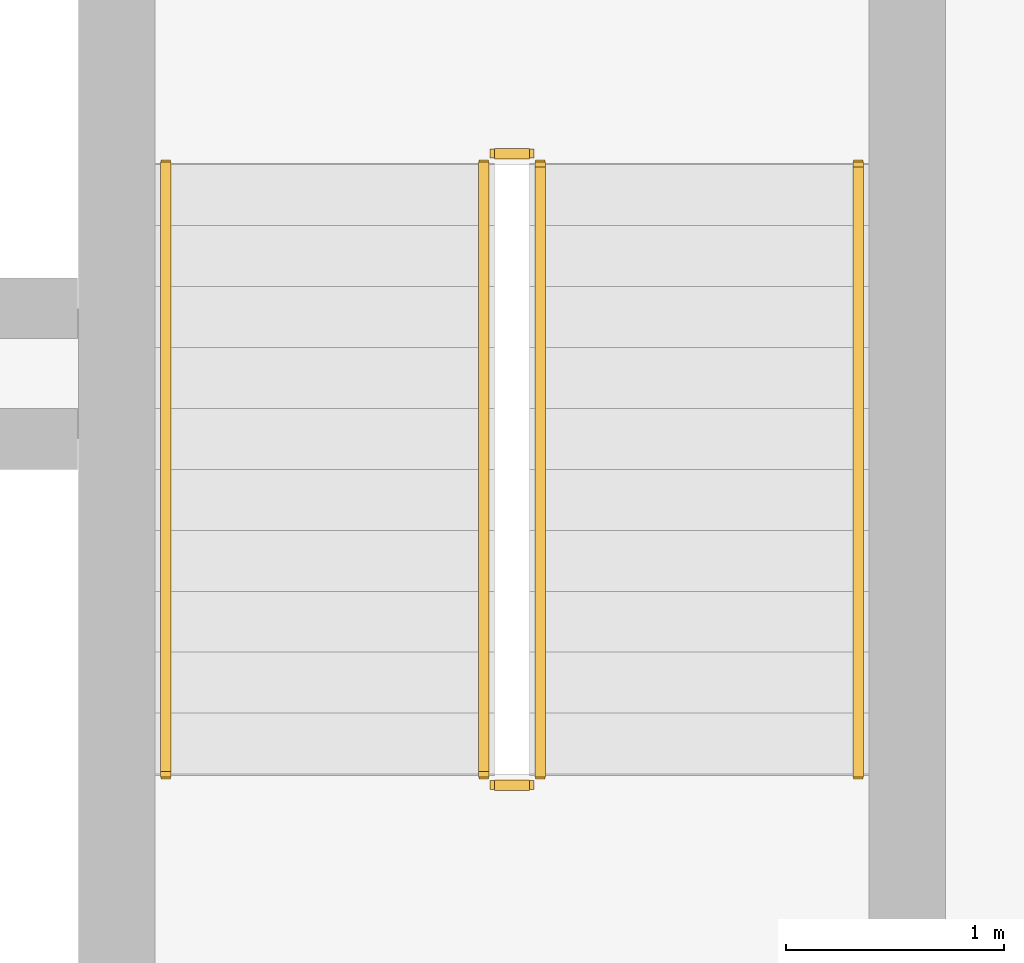
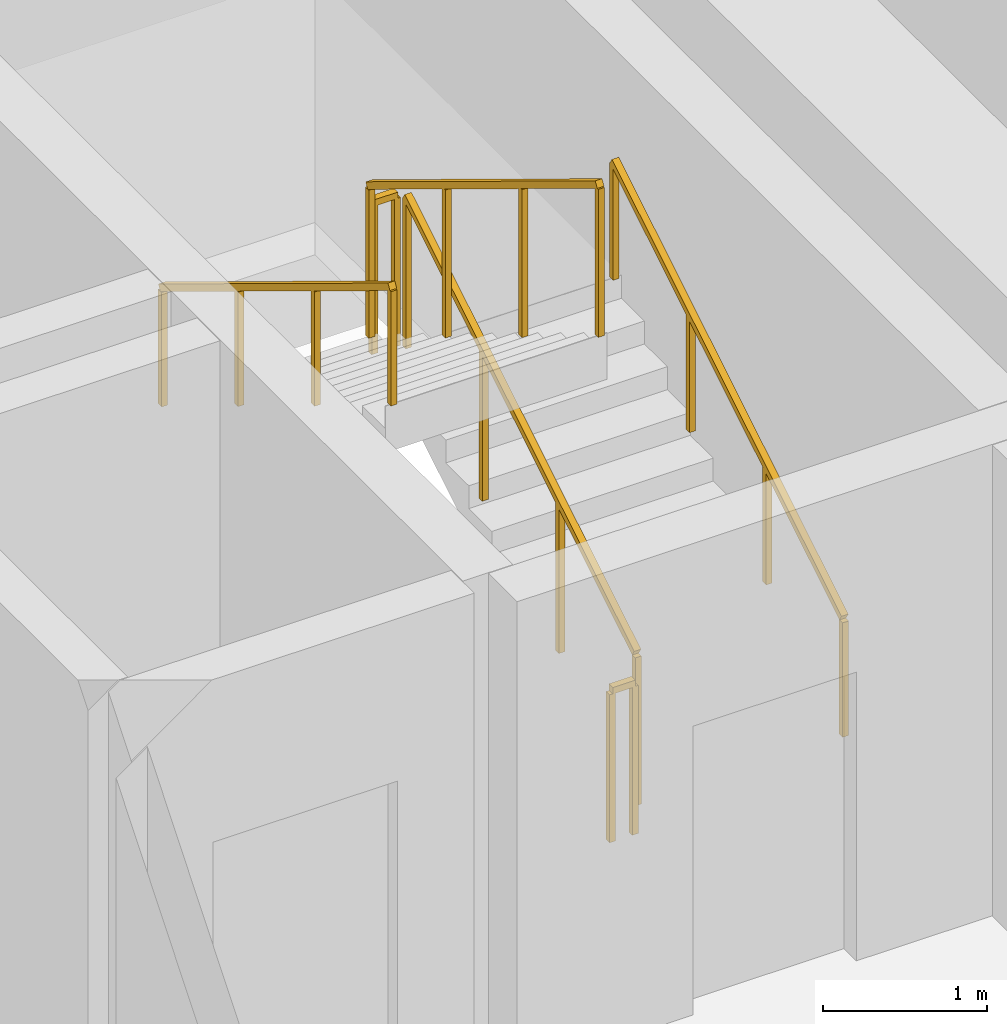
# One storey, part 15 of 15: 6 railings.
"""IFC4 building model written with IfcOpenShell, lengths in metres."""

from ifc_helpers import new_model, si_unit, direction, frame, origin, origin_2d, place, context, subcontext, project, spatial, rectangle, extrude, material, type_object, element, save


model = new_model("IFC4")

# Units and contexts
model_context = context("Model", 3, precision=1e-05, world=origin(), true_north=direction((0.0, 1.0)))
body_context = subcontext(model_context, "Body", "Model", "MODEL_VIEW")
ifc_project = project(units=[si_unit("LENGTHUNIT", "METRE"), si_unit("AREAUNIT", "SQUARE_METRE"), si_unit("VOLUMEUNIT", "CUBIC_METRE"), si_unit("PLANEANGLEUNIT", "RADIAN"), si_unit("MASSUNIT", "GRAM", prefix="KILO")], contexts=[model_context])

# Site, building, storey
site_placement = place(None, origin())
site = spatial("IfcSite", under=ifc_project, at=site_placement, CompositionType="ELEMENT")
building_placement = place(site_placement, origin())
building = spatial("IfcBuilding", under=site, at=building_placement, Name="Kaelvorn Grand Hotel", CompositionType="ELEMENT")
storey_placement = place(building_placement, frame((0.0, 0.0, 108.050048828125)))
storey = spatial("IfcBuildingStorey", under=building, at=storey_placement, Name="L25", CompositionType="ELEMENT", Elevation=108.050048828125)

# Railings
ifc_material = material(Name="Stainless Steel", Category="steel")
railing_type_1 = type_object("IfcRailingType", Name="RL-HANDRAIL-900", PredefinedType="HANDRAIL", material=ifc_material)
railing_1_placement = place(storey_placement, frame((66.550048828125, 41.760009765625, 0.17041015625)))
element("IfcRailing", 1, at=railing_1_placement, inside=storey, type_object=railing_type_1, Name="L25 ST3 stair handrail 1", PredefinedType="HANDRAIL", context=body_context, shape_type="SweptSolid", body=[
    extrude(rectangle(XDim=0.048095703125, YDim=0.048095703125, at=origin_2d()), frame((0.0, 0.0, 0.8759765625), z_axis=(0.0, 0.854169791009, 0.51999420009), x_axis=(-1.0, 0.0, 0.0)), (0.0, 0.0, 1.0), 3.278076171875),
    extrude(rectangle(XDim=0.0419921875, YDim=0.0419921875, at=origin_2d()), origin(), (0.0, 0.0, 1.0), 0.851806640625),
    extrude(rectangle(XDim=0.0419921875, YDim=0.0419921875, at=origin_2d()), frame((0.0, 0.933349609375, 0.568115234375)), (0.0, 0.0, 1.0), 0.851806640625),
    extrude(rectangle(XDim=0.0419921875, YDim=0.0419921875, at=origin_2d()), frame((0.0, 1.86669921875, 1.136474609375)), (0.0, 0.0, 1.0), 0.851806640625),
    extrude(rectangle(XDim=0.0419921875, YDim=0.0419921875, at=origin_2d()), frame((0.0, 2.800048828125, 1.70458984375)), (0.0, 0.0, 1.0), 0.851806640625),
])
railing_2_placement = place(storey_placement, frame((63.3701171875, 44.56005859375, 2.04541015625)))
element("IfcRailing", 2, at=railing_2_placement, inside=storey, type_object=railing_type_1, Name="L25 ST3 stair handrail 2", PredefinedType="HANDRAIL", context=body_context, shape_type="SweptSolid", body=[
    extrude(rectangle(XDim=0.048095703125, YDim=0.048095703125, at=origin_2d()), frame((0.0, 0.0, 0.8759765625), z_axis=(0.0, -0.854169791009, 0.51999420009), x_axis=(1.0, 0.0, 0.0)), (0.0, 0.0, 1.0), 3.278076171875),
    extrude(rectangle(XDim=0.0419921875, YDim=0.0419921875, at=origin_2d()), origin(), (0.0, 0.0, 1.0), 0.851806640625),
    extrude(rectangle(XDim=0.0419921875, YDim=0.0419921875, at=origin_2d()), frame((0.0, -0.933349609375, 0.568115234375)), (0.0, 0.0, 1.0), 0.851806640625),
    extrude(rectangle(XDim=0.0419921875, YDim=0.0419921875, at=origin_2d()), frame((0.0, -1.86669921875, 1.136474609375)), (0.0, 0.0, 1.0), 0.851806640625),
    extrude(rectangle(XDim=0.0419921875, YDim=0.0419921875, at=origin_2d()), frame((0.0, -2.800048828125, 1.70458984375)), (0.0, 0.0, 1.0), 0.851806640625),
])
railing_type_2 = type_object("IfcRailingType", Name="RL-STAIR-GUARD-1150", PredefinedType="BALUSTRADE", material=ifc_material)
railing_3_placement = place(storey_placement, frame((65.090087890625, 41.760009765625, 0.17041015625)))
element("IfcRailing", 3, at=railing_3_placement, inside=storey, type_object=railing_type_2, Name="L25 ST3 stair guard 1", PredefinedType="BALUSTRADE", context=body_context, shape_type="SweptSolid", body=[
    extrude(rectangle(XDim=0.048095703125, YDim=0.048095703125, at=origin_2d()), frame((0.0, 0.0, 1.1259765625), z_axis=(0.0, 0.854169791009, 0.51999420009), x_axis=(-1.0, 0.0, 0.0)), (0.0, 0.0, 1.0), 3.278076171875),
    extrude(rectangle(XDim=0.0419921875, YDim=0.0419921875, at=origin_2d()), origin(), (0.0, 0.0, 1.0), 1.101806640625),
    extrude(rectangle(XDim=0.0419921875, YDim=0.0419921875, at=origin_2d()), frame((0.0, 0.933349609375, 0.568115234375)), (0.0, 0.0, 1.0), 1.101806640625),
    extrude(rectangle(XDim=0.0419921875, YDim=0.0419921875, at=origin_2d()), frame((0.0, 1.86669921875, 1.136474609375)), (0.0, 0.0, 1.0), 1.101806640625),
    extrude(rectangle(XDim=0.0419921875, YDim=0.0419921875, at=origin_2d()), frame((0.0, 2.800048828125, 1.70458984375)), (0.0, 0.0, 1.0), 1.101806640625),
])
railing_4_placement = place(storey_placement, frame((65.0400390625, 44.610107421875, 1.875)))
element("IfcRailing", 4, at=railing_4_placement, inside=storey, type_object=railing_type_2, Name="L25 ST3 stair guard 2", PredefinedType="BALUSTRADE", context=body_context, shape_type="SweptSolid", body=[
    extrude(rectangle(XDim=0.048095703125, YDim=0.048095703125, at=origin_2d()), frame((0.0, 0.0, 1.1259765625), z_axis=(-1.0, 0.0, 0.0), x_axis=(0.0, -1.0, 0.0)), (0.0, 0.0, 1.0), 0.16015625),
    extrude(rectangle(XDim=0.0419921875, YDim=0.0419921875, at=origin_2d()), origin(), (0.0, 0.0, 1.0), 1.101806640625),
    extrude(rectangle(XDim=0.0419921875, YDim=0.0419921875, at=origin_2d()), frame((-0.16015625, 0.0, 0.0)), (0.0, 0.0, 1.0), 1.101806640625),
])
railing_5_placement = place(storey_placement, frame((64.830078125, 44.56005859375, 2.04541015625)))
element("IfcRailing", 5, at=railing_5_placement, inside=storey, type_object=railing_type_2, Name="L25 ST3 stair guard 3", PredefinedType="BALUSTRADE", context=body_context, shape_type="SweptSolid", body=[
    extrude(rectangle(XDim=0.048095703125, YDim=0.048095703125, at=origin_2d()), frame((0.0, 0.0, 1.1259765625), z_axis=(0.0, -0.854169791009, 0.51999420009), x_axis=(1.0, 0.0, 0.0)), (0.0, 0.0, 1.0), 3.278076171875),
    extrude(rectangle(XDim=0.0419921875, YDim=0.0419921875, at=origin_2d()), origin(), (0.0, 0.0, 1.0), 1.101806640625),
    extrude(rectangle(XDim=0.0419921875, YDim=0.0419921875, at=origin_2d()), frame((0.0, -0.933349609375, 0.568115234375)), (0.0, 0.0, 1.0), 1.101806640625),
    extrude(rectangle(XDim=0.0419921875, YDim=0.0419921875, at=origin_2d()), frame((0.0, -1.86669921875, 1.136474609375)), (0.0, 0.0, 1.0), 1.101806640625),
    extrude(rectangle(XDim=0.0419921875, YDim=0.0419921875, at=origin_2d()), frame((0.0, -2.800048828125, 1.70458984375)), (0.0, 0.0, 1.0), 1.101806640625),
])
railing_6_placement = place(storey_placement, frame((65.0400390625, 41.7099609375, 0.0)))
element("IfcRailing", 6, at=railing_6_placement, inside=storey, type_object=railing_type_2, Name="L25 ST3 stair guard 4", PredefinedType="BALUSTRADE", context=body_context, shape_type="SweptSolid", body=[
    extrude(rectangle(XDim=0.048095703125, YDim=0.048095703125, at=origin_2d()), frame((0.0, 0.0, 1.1259765625), z_axis=(-1.0, 0.0, 0.0), x_axis=(0.0, -1.0, 0.0)), (0.0, 0.0, 1.0), 0.16015625),
    extrude(rectangle(XDim=0.0419921875, YDim=0.0419921875, at=origin_2d()), origin(), (0.0, 0.0, 1.0), 1.101806640625),
    extrude(rectangle(XDim=0.0419921875, YDim=0.0419921875, at=origin_2d()), frame((-0.16015625, 0.0, 0.0)), (0.0, 0.0, 1.0), 1.101806640625),
])

save(model, "model.ifc")
